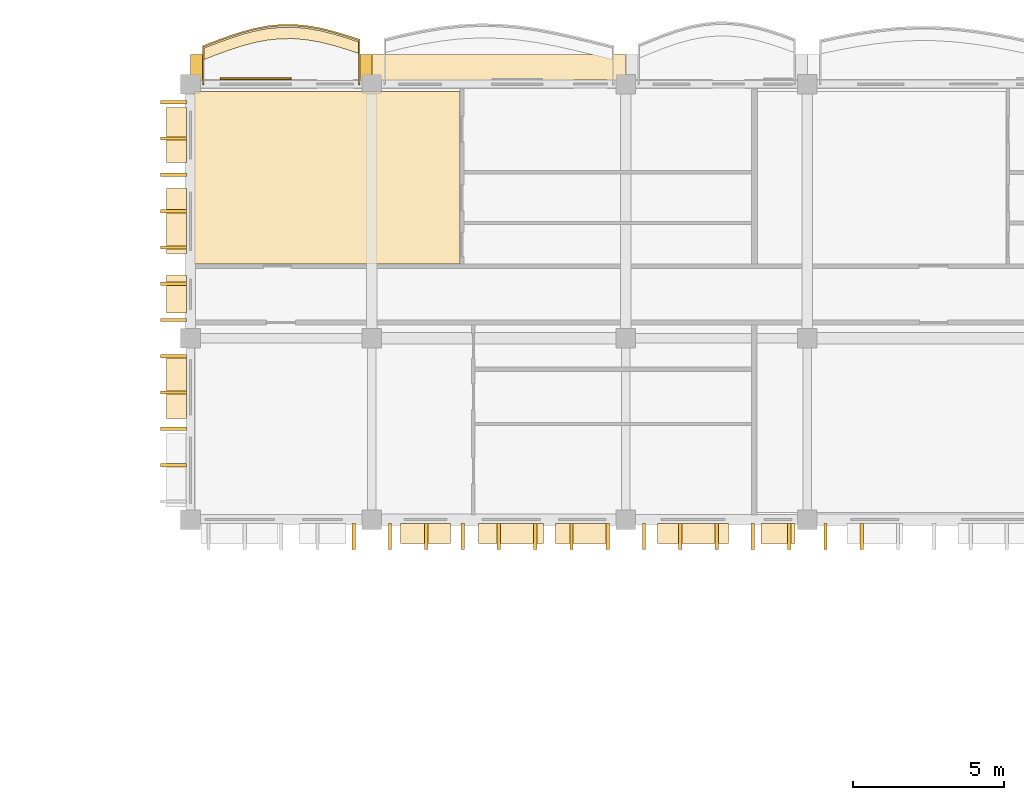
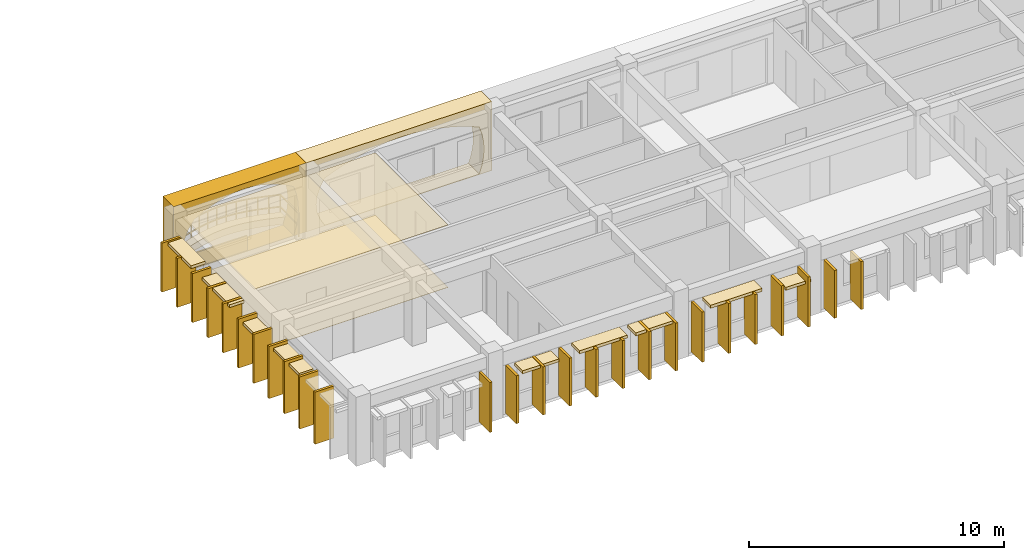
# One storey, part 52 of 66: 41 coverings, 1 railing.
"""IFC4 building model written with IfcOpenShell, lengths in metres."""

import ifcopenshell
import ifcopenshell.guid

model = None  # the IFC model being written
_history = None  # IfcOwnerHistory: only IFC2X3 demands one
_inside = {}  # id of a spatial element -> (the spatial element, [elements in it])
_under = {}  # id of a project, library or spatial element -> (it, [spatial elements below it])
_declared = {}  # id of a project -> (the project, [libraries it declares])
_typed = {}  # id of a type object -> (the type object, [elements of that type])
_made_of = {}  # id of a material, layer set ... -> (it, [elements and type objects made of it])


def new_model(schema):
    """Start an empty IFC model of exactly this schema.

    Asked for "IFC4X3", IfcOpenShell would pick the latest addendum, in which some entities
    have other attributes; the version numbers below select the first issue.
    IFC2X3 requires an IfcOwnerHistory on every rooted entity: one is made here for all.
    """
    global model, _history
    if schema == "IFC4X3":
        model = ifcopenshell.file(schema_version=(4, 3, 0, 0))
    else:
        model = ifcopenshell.file(schema=schema)
    _inside.clear()
    _under.clear()
    _declared.clear()
    _typed.clear()
    _made_of.clear()
    _history = None
    if model.schema == "IFC2X3":
        org = make("IfcOrganization", Name="unknown")
        user = make(
            "IfcPersonAndOrganization",
            ThePerson=make("IfcPerson", FamilyName="unknown"),
            TheOrganization=org,
        )
        app = make(
            "IfcApplication",
            ApplicationDeveloper=org,
            Version="unknown",
            ApplicationFullName="unknown",
            ApplicationIdentifier="unknown",
        )
        _history = make(
            "IfcOwnerHistory",
            OwningUser=user,
            OwningApplication=app,
            ChangeAction="ADDED",
            CreationDate=0,
        )
    return model


def make(cls, **values):
    """One entity of the class cls with the attributes given. An attribute that is None is left unset."""
    return model.create_entity(
        cls, **{name: value for name, value in values.items() if value is not None}
    )


def rooted(cls, **values):
    """An entity with a GlobalId (a new one), such as an element, a storey or a relation."""
    return make(cls, GlobalId=ifcopenshell.guid.new(), OwnerHistory=_history, **values)


def si_unit(unit_type, name, prefix=None):
    """IfcSIUnit, for example si_unit("LENGTHUNIT", "METRE", prefix="MILLI")."""
    return make("IfcSIUnit", UnitType=unit_type, Prefix=prefix, Name=name)


def assignment(units):
    """IfcUnitAssignment: the units of a project."""
    return None if units is None else make("IfcUnitAssignment", Units=units)


def point(xyz):
    """IfcCartesianPoint."""
    return None if xyz is None else make("IfcCartesianPoint", Coordinates=xyz)


def direction(xyz):
    """IfcDirection."""
    return None if xyz is None else make("IfcDirection", DirectionRatios=xyz)


def frame(location, z_axis=None, x_axis=None):
    """IfcAxis2Placement3D, a coordinate frame: its origin and axes. An axis left out is left unset."""
    return make(
        "IfcAxis2Placement3D",
        Location=point(location),
        Axis=direction(z_axis),
        RefDirection=direction(x_axis),
    )


def frame_2d(location, x_axis=None):
    """IfcAxis2Placement2D, a coordinate frame in the plane: its origin and x axis."""
    return make(
        "IfcAxis2Placement2D", Location=point(location), RefDirection=direction(x_axis)
    )


def origin():
    """The frame at (0, 0, 0) with its axes left unset."""
    return frame((0.0, 0.0, 0.0))


def origin_2d():
    """The frame at (0, 0) in the plane with its x axis left unset."""
    return frame_2d((0.0, 0.0))


def place(relative_to, where):
    """IfcLocalPlacement: puts the frame where relative to a parent placement (None: the world)."""
    return make(
        "IfcLocalPlacement", PlacementRelTo=relative_to, RelativePlacement=where
    )


def context(
    kind, dimensions, precision=None, world=None, true_north=None, identifier=None
):
    """IfcGeometricRepresentationContext, for example the 3D "Model" context."""
    return make(
        "IfcGeometricRepresentationContext",
        ContextIdentifier=identifier,
        ContextType=kind,
        CoordinateSpaceDimension=dimensions,
        Precision=precision,
        WorldCoordinateSystem=world,
        TrueNorth=true_north,
    )


def subcontext(parent, identifier, kind, view, scale=None):
    """IfcGeometricRepresentationSubContext, for example "Body" below "Model"."""
    return make(
        "IfcGeometricRepresentationSubContext",
        ContextIdentifier=identifier,
        ContextType=kind,
        ParentContext=parent,
        TargetScale=scale,
        TargetView=view,
    )


def project(units=None, contexts=None):
    """IfcProject with its units and contexts."""
    return rooted(
        "IfcProject",
        Name="project",
        RepresentationContexts=contexts,
        UnitsInContext=assignment(units),
    )


def spatial(cls, under=None, at=None, **own):
    """A site, building, storey or space (cls), placed at a placement, below another one or the project."""
    s = rooted(cls, ObjectPlacement=at, **own)
    if under is not None:
        _under.setdefault(under.id(), (under, []))[1].append(s)
    return s


def polyline(points):
    """IfcPolyline through the points."""
    return make("IfcPolyline", Points=[point(p) for p in points])


def profile(cls, at=None, kind="AREA", **sizes):
    """A parametric profile (cls). Its sizes go by their IFC names, for example OverallWidth=200.0."""
    return make(cls, ProfileType=kind, Position=at, **sizes)


def rectangle(**sizes):
    """IfcRectangleProfileDef."""
    return profile("IfcRectangleProfileDef", **sizes)


def outline(outer, holes=None, kind="AREA"):
    """IfcArbitraryClosedProfileDef: a profile drawn as a closed curve; with holes, ...WithVoids."""
    if holes is None:
        return make("IfcArbitraryClosedProfileDef", ProfileType=kind, OuterCurve=outer)
    return make(
        "IfcArbitraryProfileDefWithVoids",
        ProfileType=kind,
        OuterCurve=outer,
        InnerCurves=holes,
    )


def extrude(swept, where, along, depth):
    """IfcExtrudedAreaSolid: the profile swept, set in the frame where, extruded along a direction by depth."""
    return make(
        "IfcExtrudedAreaSolid",
        SweptArea=swept,
        Position=where,
        ExtrudedDirection=direction(along),
        Depth=depth,
    )


def shape(context_of_items, identifier, shape_type, items):
    """IfcShapeRepresentation: the items that make up one representation, for example the "Body"."""
    return make(
        "IfcShapeRepresentation",
        ContextOfItems=context_of_items,
        RepresentationIdentifier=identifier,
        RepresentationType=shape_type,
        Items=items,
    )


def material(Name=None, Category=None):
    """IfcMaterial."""
    return make("IfcMaterial", Name=Name, Category=Category)


def layer(
    of_material, thickness, ventilated=None, Name=None, Category=None, Priority=None
):
    """IfcMaterialLayer: one layer of a wall or slab, of a material (None: an air gap)."""
    return make(
        "IfcMaterialLayer",
        Material=of_material,
        LayerThickness=thickness,
        IsVentilated=ventilated,
        Name=Name,
        Category=Category,
        Priority=Priority,
    )


def layer_set(layers, Name=None):
    """IfcMaterialLayerSet."""
    return make("IfcMaterialLayerSet", MaterialLayers=layers, LayerSetName=Name)


def made_of(thing, what):
    """Note that an element or type object is made of a material, layer set ...; save() writes the relation."""
    if what is not None:
        _made_of.setdefault(what.id(), (what, []))[1].append(thing)
    return thing


def type_object(cls, material=None, **own):
    """A type object (cls), such as IfcWallType, which elements share."""
    return made_of(rooted(cls, **own), material)


def element(
    cls,
    number,
    at=None,
    inside=None,
    cuts=None,
    type_object=None,
    material=None,
    context=None,
    identifier="Body",
    shape_type=None,
    held_by="IfcProductDefinitionShape",
    body=None,
    shapes=None,
    **own,
):
    """One element of the class cls, such as IfcWall. Its Tag is "e" and its number.

    at: its placement. inside: the storey or other place that contains it. cuts: it is an
    opening in that element (IfcRelVoidsElement). A single representation is given by context,
    identifier, shape_type and body (its items); several are given by shapes. held_by: the class
    of the entity that holds the representations. save() writes the other relations.
    """
    e = rooted(cls, Tag="e%d" % number, ObjectPlacement=at, **own)
    if body is not None:
        shapes = [shape(context, identifier, shape_type, body)]
    if shapes is not None:
        e.Representation = make(held_by, Representations=shapes)
    if inside is not None:
        _inside.setdefault(inside.id(), (inside, []))[1].append(e)
    if cuts is not None:
        rooted(
            "IfcRelVoidsElement", RelatingBuildingElement=cuts, RelatedOpeningElement=e
        )
    if type_object is not None:
        _typed.setdefault(type_object.id(), (type_object, []))[1].append(e)
    return made_of(e, material)


def aggregate(whole, parts):
    """IfcRelAggregates: a whole, such as a stair, and the parts it consists of."""
    return rooted("IfcRelAggregates", RelatingObject=whole, RelatedObjects=parts)


def save(model, path):
    """Write the relations noted so far, then the file.

    IfcRelAggregates (storeys below a building ...), IfcRelContainedInSpatialStructure (elements
    in a storey), IfcRelDefinesByType, IfcRelAssociatesMaterial and IfcRelDeclares: one each for
    every whole, place, type object, material and project.
    """
    for whole, parts in _under.values():
        aggregate(whole, parts)
    for where, things in _inside.values():
        rooted(
            "IfcRelContainedInSpatialStructure",
            RelatedElements=things,
            RelatingStructure=where,
        )
    for kind, things in _typed.values():
        rooted("IfcRelDefinesByType", RelatedObjects=things, RelatingType=kind)
    for what, things in _made_of.values():
        rooted("IfcRelAssociatesMaterial", RelatedObjects=things, RelatingMaterial=what)
    for by, libraries in _declared.values():
        rooted("IfcRelDeclares", RelatingContext=by, RelatedDefinitions=libraries)
    model.write(path)


model = new_model("IFC4")

# Units and contexts
model_context = context("Model", 3, precision=1e-05, world=origin(), true_north=direction((0.0, 1.0)))
body_context = subcontext(model_context, "Body", "Model", "MODEL_VIEW")
ifc_project = project(units=[si_unit("LENGTHUNIT", "METRE"), si_unit("AREAUNIT", "SQUARE_METRE"), si_unit("VOLUMEUNIT", "CUBIC_METRE"), si_unit("PLANEANGLEUNIT", "RADIAN"), si_unit("MASSUNIT", "GRAM", prefix="KILO"), si_unit("THERMODYNAMICTEMPERATUREUNIT", "KELVIN")], contexts=[model_context])

# Site, building, storey
site_placement = place(None, origin())
site = spatial("IfcSite", under=ifc_project, at=site_placement, CompositionType="ELEMENT")
building_placement = place(site_placement, origin())
building = spatial("IfcBuilding", under=site, at=building_placement, Name="Thalorik Housing Commons", CompositionType="ELEMENT")
storey_placement = place(building_placement, frame((0.0, 0.0, 21.300048828125)))
storey = spatial("IfcBuildingStorey", under=building, at=storey_placement, Name="L06", CompositionType="ELEMENT", Elevation=21.300048828125)

# Coverings
ifc_material_1 = material(Name="Precast concrete C40/50", Category="concrete")
ifc_layer_1 = layer(ifc_material_1, 0.85009765625, Name="Precast concrete C40/50", Category="concrete")
ifc_layer_set_1 = layer_set([ifc_layer_1], Name="Precast concrete C40/50")
covering_type_1 = type_object("IfcCoveringType", Name="ARC-CLD-CUSH-850", PredefinedType="CLADDING", material=ifc_layer_set_1)
covering_1_placement = place(storey_placement, frame((90.60009765625, 124.16259765625, 0.0), z_axis=(0.0, 0.0, 1.0), x_axis=(-1.0, 0.0, 0.0)))
element("IfcCovering", 1, at=covering_1_placement, inside=storey, type_object=covering_type_1, Name="L06 White Precast Curved Cushion Bay Frame 2384", PredefinedType="CLADDING", context=body_context, shape_type="SweptSolid", body=[
    extrude(outline(polyline([(-4.199951171875, 0.0), (4.199951171875, 0.0), (4.199951171875, 3.300048828125), (-4.199951171875, 3.300048828125), (-4.199951171875, 0.0)]), holes=[polyline([(3.36328125, 0.02490234375), (3.578125, 0.40087890625), (3.70703125, 0.776611328125), (3.75, 1.152587890625), (3.70703125, 1.5283203125), (3.578125, 1.904296875), (3.36328125, 2.280029296875), (2.780517578125, 2.51123046875), (2.19775390625, 2.693115234375), (1.614990234375, 2.840087890625), (1.0322265625, 2.94970703125), (0.449462890625, 3.01708984375), (-0.13330078125, 3.0400390625), (-0.716064453125, 3.01708984375), (-1.298828125, 2.94970703125), (-1.881591796875, 2.840087890625), (-2.46435546875, 2.693115234375), (-3.047119140625, 2.51123046875), (-3.6298828125, 2.280029296875), (-3.750244140625, 1.904296875), (-3.822509765625, 1.5283203125), (-3.8466796875, 1.152587890625), (-3.822509765625, 0.776611328125), (-3.750244140625, 0.40087890625), (-3.6298828125, 0.02490234375), (3.36328125, 0.02490234375)])]), frame((0.0, 0.425048828125, 0.0), z_axis=(0.0, -1.0, 0.0), x_axis=(1.0, 0.0, 0.0)), (0.0, 0.0, 1.0), 0.85009765625),
])
covering_2_placement = place(storey_placement, frame((83.39990234375, 124.16259765625, 0.0), z_axis=(0.0, 0.0, 1.0), x_axis=(-1.0, 0.0, 0.0)))
element("IfcCovering", 2, at=covering_2_placement, inside=storey, type_object=covering_type_1, Name="L06 White Precast Curved Cushion Bay Frame 2386", PredefinedType="CLADDING", context=body_context, shape_type="SweptSolid", body=[
    extrude(outline(polyline([(-3.0, 0.0), (3.0, 0.0), (3.0, 3.300048828125), (-3.0, 3.300048828125), (-3.0, 0.0)]), holes=[polyline([(2.06494140625, 0.02490234375), (2.33447265625, 0.415771484375), (2.49609375, 0.806640625), (2.550048828125, 1.197509765625), (2.49609375, 1.58837890625), (2.33447265625, 1.979248046875), (2.06494140625, 2.3701171875), (1.6904296875, 2.573974609375), (1.31591796875, 2.734130859375), (0.94140625, 2.864013671875), (0.566650390625, 2.960205078125), (0.192138671875, 3.02001953125), (-0.1826171875, 3.0400390625), (-0.55712890625, 3.02001953125), (-0.931640625, 2.960205078125), (-1.30615234375, 2.864013671875), (-1.680908203125, 2.734130859375), (-2.055419921875, 2.573974609375), (-2.429931640625, 2.3701171875), (-2.55029296875, 1.979248046875), (-2.62255859375, 1.58837890625), (-2.646484375, 1.197509765625), (-2.62255859375, 0.806640625), (-2.55029296875, 0.415771484375), (-2.429931640625, 0.02490234375), (2.06494140625, 0.02490234375)])]), frame((0.0, 0.425048828125, 0.0), z_axis=(0.0, -1.0, 0.0), x_axis=(1.0, 0.0, 0.0)), (0.0, 0.0, 1.0), 0.85009765625),
])
ifc_layer_2 = layer(ifc_material_1, 0.85009765625, Name="Precast concrete C40/50", Category="concrete")
ifc_layer_set_2 = layer_set([ifc_layer_2], Name="Precast concrete C40/50")
covering_type_2 = type_object("IfcCoveringType", Name="ARC-CLD-FIN-850", PredefinedType="CLADDING", material=ifc_layer_set_2)
for number, where, z_axis, x_axis, name in (
    (3, (79.83740234375, 123.0, 0.0400390625), (0.0, 0.0, 1.0), (0.0, -1.0, 0.0), "L06 Courtyard Precast Vertical Brise-Soleil Fin 2388"),
    (4, (79.83740234375, 121.800048828125, 0.0400390625), (0.0, 0.0, 1.0), (0.0, -1.0, 0.0), "L06 Courtyard Precast Vertical Brise-Soleil Fin 2389"),
    (5, (79.83740234375, 120.60009765625, 0.0400390625), (0.0, 0.0, 1.0), (0.0, -1.0, 0.0), "L06 Courtyard Precast Vertical Brise-Soleil Fin 2390"),
    (6, (79.83740234375, 119.39990234375, 0.0400390625), (0.0, 0.0, 1.0), (0.0, -1.0, 0.0), "L06 Courtyard Precast Vertical Brise-Soleil Fin 2391"),
    (7, (79.83740234375, 118.199951171875, 0.0400390625), (0.0, 0.0, 1.0), (0.0, -1.0, 0.0), "L06 Courtyard Precast Vertical Brise-Soleil Fin 2392"),
    (8, (79.83740234375, 117.0, 0.0400390625), (0.0, 0.0, 1.0), (0.0, -1.0, 0.0), "L06 Courtyard Precast Vertical Brise-Soleil Fin 2393"),
    (9, (79.83740234375, 115.800048828125, 0.0400390625), (0.0, 0.0, 1.0), (0.0, -1.0, 0.0), "L06 Courtyard Precast Vertical Brise-Soleil Fin 2394"),
):
    element("IfcCovering", number, at=place(storey_placement, frame(where, z_axis=z_axis, x_axis=x_axis)), inside=storey, type_object=covering_type_2, Name=name, PredefinedType="CLADDING", context=body_context, shape_type="SweptSolid", body=[
        extrude(rectangle(XDim=0.110107421875, YDim=0.85009765625, at=origin_2d()), origin(), (0.0, 0.0, 1.0), 2.344970703125),
    ])
for number, where, z_axis, x_axis, name in (
    (10, (79.83740234375, 114.60009765625, 0.039794921875), (0.0, 0.0, 1.0), (0.0, -1.0, 0.0), "L06 Courtyard Precast Vertical Brise-Soleil Fin 2398"),
    (11, (79.83740234375, 113.39990234375, 0.039794921875), (0.0, 0.0, 1.0), (0.0, -1.0, 0.0), "L06 Courtyard Precast Vertical Brise-Soleil Fin 2399"),
    (12, (79.83740234375, 112.199951171875, 0.039794921875), (0.0, 0.0, 1.0), (0.0, -1.0, 0.0), "L06 Courtyard Precast Vertical Brise-Soleil Fin 2400"),
    (13, (79.83740234375, 111.0, 0.039794921875), (0.0, 0.0, 1.0), (0.0, -1.0, 0.0), "L06 Courtyard Precast Vertical Brise-Soleil Fin 2401"),
):
    element("IfcCovering", number, at=place(storey_placement, frame(where, z_axis=z_axis, x_axis=x_axis)), inside=storey, type_object=covering_type_2, Name=name, PredefinedType="CLADDING", context=body_context, shape_type="SweptSolid", body=[
        extrude(rectangle(XDim=0.110107421875, YDim=0.85009765625, at=origin_2d()), origin(), (0.0, 0.0, 1.0), 2.4951171875),
    ])
covering_3_placement = place(storey_placement, frame((85.800048828125, 108.637451171875, 0.0400390625), z_axis=(0.0, 0.0, 1.0), x_axis=(1.0, 0.0, 0.0)))
element("IfcCovering", 14, at=covering_3_placement, inside=storey, type_object=covering_type_2, Name="L06 Courtyard Precast Vertical Brise-Soleil Fin 2409", PredefinedType="CLADDING", context=body_context, shape_type="SweptSolid", body=[
    extrude(rectangle(XDim=0.110107421875, YDim=0.85009765625, at=origin_2d()), origin(), (0.0, 0.0, 1.0), 2.39501953125),
])
for number, where, z_axis, x_axis, name in (
    (15, (87.0, 108.637451171875, 0.0400390625), (0.0, 0.0, 1.0), (1.0, 0.0, 0.0), "L06 Courtyard Precast Vertical Brise-Soleil Fin 2412"),
    (16, (88.199951171875, 108.637451171875, 0.0400390625), (0.0, 0.0, 1.0), (1.0, 0.0, 0.0), "L06 Courtyard Precast Vertical Brise-Soleil Fin 2413"),
    (17, (89.39990234375, 108.637451171875, 0.0400390625), (0.0, 0.0, 1.0), (1.0, 0.0, 0.0), "L06 Courtyard Precast Vertical Brise-Soleil Fin 2414"),
    (18, (90.60009765625, 108.637451171875, 0.0400390625), (0.0, 0.0, 1.0), (1.0, 0.0, 0.0), "L06 Courtyard Precast Vertical Brise-Soleil Fin 2415"),
    (19, (91.800048828125, 108.637451171875, 0.0400390625), (0.0, 0.0, 1.0), (1.0, 0.0, 0.0), "L06 Courtyard Precast Vertical Brise-Soleil Fin 2416"),
    (20, (93.0, 108.637451171875, 0.0400390625), (0.0, 0.0, 1.0), (1.0, 0.0, 0.0), "L06 Courtyard Precast Vertical Brise-Soleil Fin 2417"),
    (21, (94.199951171875, 108.637451171875, 0.0400390625), (0.0, 0.0, 1.0), (1.0, 0.0, 0.0), "L06 Courtyard Precast Vertical Brise-Soleil Fin 2418"),
):
    element("IfcCovering", number, at=place(storey_placement, frame(where, z_axis=z_axis, x_axis=x_axis)), inside=storey, type_object=covering_type_2, Name=name, PredefinedType="CLADDING", context=body_context, shape_type="SweptSolid", body=[
        extrude(rectangle(XDim=0.110107421875, YDim=0.85009765625, at=origin_2d()), origin(), (0.0, 0.0, 1.0), 2.294921875),
    ])
for number, where, z_axis, x_axis, name in (
    (22, (95.39990234375, 108.637451171875, 0.0400390625), (0.0, 0.0, 1.0), (1.0, 0.0, 0.0), "L06 Courtyard Precast Vertical Brise-Soleil Fin 2422"),
    (23, (96.60009765625, 108.637451171875, 0.0400390625), (0.0, 0.0, 1.0), (1.0, 0.0, 0.0), "L06 Courtyard Precast Vertical Brise-Soleil Fin 2423"),
    (24, (97.800048828125, 108.637451171875, 0.0400390625), (0.0, 0.0, 1.0), (1.0, 0.0, 0.0), "L06 Courtyard Precast Vertical Brise-Soleil Fin 2424"),
    (25, (99.0, 108.637451171875, 0.0400390625), (0.0, 0.0, 1.0), (1.0, 0.0, 0.0), "L06 Courtyard Precast Vertical Brise-Soleil Fin 2425"),
    (26, (100.199951171875, 108.637451171875, 0.0400390625), (0.0, 0.0, 1.0), (1.0, 0.0, 0.0), "L06 Courtyard Precast Vertical Brise-Soleil Fin 2426"),
):
    element("IfcCovering", number, at=place(storey_placement, frame(where, z_axis=z_axis, x_axis=x_axis)), inside=storey, type_object=covering_type_2, Name=name, PredefinedType="CLADDING", context=body_context, shape_type="SweptSolid", body=[
        extrude(rectangle(XDim=0.110107421875, YDim=0.85009765625, at=origin_2d()), origin(), (0.0, 0.0, 1.0), 2.39501953125),
    ])
for number, where, z_axis, x_axis, name in (
    (27, (101.39990234375, 108.637451171875, 0.0400390625), (0.0, 0.0, 1.0), (1.0, 0.0, 0.0), "L06 Courtyard Precast Vertical Brise-Soleil Fin 2429"),
    (28, (102.60009765625, 108.637451171875, 0.0400390625), (0.0, 0.0, 1.0), (1.0, 0.0, 0.0), "L06 Courtyard Precast Vertical Brise-Soleil Fin 2430"),
):
    element("IfcCovering", number, at=place(storey_placement, frame(where, z_axis=z_axis, x_axis=x_axis)), inside=storey, type_object=covering_type_2, Name=name, PredefinedType="CLADDING", context=body_context, shape_type="SweptSolid", body=[
        extrude(rectangle(XDim=0.110107421875, YDim=0.85009765625, at=origin_2d()), origin(), (0.0, 0.0, 1.0), 2.294921875),
    ])
ifc_layer_3 = layer(ifc_material_1, 0.64990234375, Name="Precast concrete C40/50", Category="concrete")
ifc_layer_set_3 = layer_set([ifc_layer_3], Name="Precast concrete C40/50")
covering_type_3 = type_object("IfcCoveringType", Name="ARC-CLD-HOOD-650", PredefinedType="CLADDING", material=ifc_layer_set_3)
covering_4_placement = place(storey_placement, frame((79.9375, 121.91748046875, 2.27001953125), z_axis=(0.0, 0.0, 1.0), x_axis=(0.0, -1.0, 0.0)))
element("IfcCovering", 29, at=covering_4_placement, inside=storey, type_object=covering_type_3, Name="L06 Courtyard Precast Window Sun-Hood 2395", PredefinedType="CLADDING", context=body_context, shape_type="SweptSolid", body=[
    extrude(rectangle(XDim=1.820068359375, YDim=0.64990234375, at=origin_2d()), origin(), (0.0, 0.0, 1.0), 0.139892578125),
])
covering_5_placement = place(storey_placement, frame((79.9375, 119.072509765625, 2.22998046875), z_axis=(0.0, 0.0, 1.0), x_axis=(0.0, -1.0, 0.0)))
element("IfcCovering", 30, at=covering_5_placement, inside=storey, type_object=covering_type_3, Name="L06 Courtyard Precast Window Sun-Hood 2396", PredefinedType="CLADDING", context=body_context, shape_type="SweptSolid", body=[
    extrude(rectangle(XDim=2.159912109375, YDim=0.64990234375, at=origin_2d()), origin(), (0.0, 0.0, 1.0), 0.139892578125),
])
covering_6_placement = place(storey_placement, frame((79.9375, 116.64990234375, 2.0400390625), z_axis=(0.0, 0.0, 1.0), x_axis=(0.0, -1.0, 0.0)))
element("IfcCovering", 31, at=covering_6_placement, inside=storey, type_object=covering_type_3, Name="L06 Courtyard Precast Window Sun-Hood 2397", PredefinedType="CLADDING", context=body_context, shape_type="SweptSolid", body=[
    extrude(rectangle(XDim=1.239990234375, YDim=0.64990234375, at=origin_2d()), origin(), (0.0, 0.0, 1.0), 0.139892578125),
])
covering_7_placement = place(storey_placement, frame((79.9375, 113.570068359375, 2.25), z_axis=(0.0, 0.0, 1.0), x_axis=(0.0, -1.0, 0.0)))
element("IfcCovering", 32, at=covering_7_placement, inside=storey, type_object=covering_type_3, Name="L06 Courtyard Precast Window Sun-Hood 2403", PredefinedType="CLADDING", context=body_context, shape_type="SweptSolid", body=[
    extrude(rectangle(XDim=2.06005859375, YDim=0.64990234375, at=origin_2d()), origin(), (0.0, 0.0, 1.0), 0.139892578125),
])
covering_8_placement = place(storey_placement, frame((88.172607421875, 108.737548828125, 2.169921875), z_axis=(0.0, 0.0, 1.0), x_axis=(1.0, 0.0, 0.0)))
element("IfcCovering", 33, at=covering_8_placement, inside=storey, type_object=covering_type_3, Name="L06 Courtyard Precast Window Sun-Hood 2419", PredefinedType="CLADDING", context=body_context, shape_type="SweptSolid", body=[
    extrude(rectangle(XDim=1.659912109375, YDim=0.64990234375, at=origin_2d()), origin(), (0.0, 0.0, 1.0), 0.139892578125),
])
covering_9_placement = place(storey_placement, frame((91.003662109375, 108.737548828125, 2.22509765625), z_axis=(0.0, 0.0, 1.0), x_axis=(1.0, 0.0, 0.0)))
element("IfcCovering", 34, at=covering_9_placement, inside=storey, type_object=covering_type_3, Name="L06 Courtyard Precast Window Sun-Hood 2420", PredefinedType="CLADDING", context=body_context, shape_type="SweptSolid", body=[
    extrude(rectangle(XDim=2.159912109375, YDim=0.64990234375, at=origin_2d()), origin(), (0.0, 0.0, 1.0), 0.139892578125),
])
covering_10_placement = place(storey_placement, frame((93.361083984375, 108.737548828125, 2.18994140625), z_axis=(0.0, 0.0, 1.0), x_axis=(1.0, 0.0, 0.0)))
element("IfcCovering", 35, at=covering_10_placement, inside=storey, type_object=covering_type_3, Name="L06 Courtyard Precast Window Sun-Hood 2421", PredefinedType="CLADDING", context=body_context, shape_type="SweptSolid", body=[
    extrude(rectangle(XDim=1.7900390625, YDim=0.64990234375, at=origin_2d()), origin(), (0.0, 0.0, 1.0), 0.139892578125),
])
covering_11_placement = place(storey_placement, frame((97.02001953125, 108.737548828125, 2.3251953125), z_axis=(0.0, 0.0, 1.0), x_axis=(1.0, 0.0, 0.0)))
element("IfcCovering", 36, at=covering_11_placement, inside=storey, type_object=covering_type_3, Name="L06 Courtyard Precast Window Sun-Hood 2427", PredefinedType="CLADDING", context=body_context, shape_type="SweptSolid", body=[
    extrude(rectangle(XDim=2.340087890625, YDim=0.64990234375, at=origin_2d()), origin(), (0.0, 0.0, 1.0), 0.139892578125),
])
covering_12_placement = place(storey_placement, frame((99.830078125, 108.737548828125, 1.990234375), z_axis=(0.0, 0.0, 1.0), x_axis=(1.0, 0.0, 0.0)))
element("IfcCovering", 37, at=covering_12_placement, inside=storey, type_object=covering_type_3, Name="L06 Courtyard Precast Window Sun-Hood 2428", PredefinedType="CLADDING", context=body_context, shape_type="SweptSolid", body=[
    extrude(rectangle(XDim=1.139892578125, YDim=0.64990234375, at=origin_2d()), origin(), (0.0, 0.0, 1.0), 0.139892578125),
])
ifc_material_2 = material(Name="Mineral ochre architectural terracotta panel", Category="masonry")
ifc_layer_4 = layer(ifc_material_2, 0.06494140625, Name="Mineral ochre architectural terracotta panel", Category="masonry")
ifc_layer_set_4 = layer_set([ifc_layer_4], Name="Mineral ochre architectural terracotta panel")
covering_type_4 = type_object("IfcCoveringType", Name="ARC-CLD-YEL-65", PredefinedType="CLADDING", material=ifc_layer_set_4)
covering_13_placement = place(storey_placement, frame((82.56005859375, 123.77490234375, 0.0498046875), z_axis=(0.0, 0.0, 1.0), x_axis=(-1.0, 0.0, 0.0)))
element("IfcCovering", 38, at=covering_13_placement, inside=storey, type_object=covering_type_4, Name="L06 De Stijl Recessed Window Spandrel 2387", PredefinedType="CLADDING", context=body_context, shape_type="SweptSolid", body=[
    extrude(rectangle(XDim=2.35009765625, YDim=0.06494140625, at=origin_2d()), origin(), (0.0, 0.0, 1.0), 0.699951171875),
])
ifc_material_3 = material(Name="Mineral fibre acoustic ceiling tile")
ifc_layer_5 = layer(ifc_material_3, 0.01806640625, Name="Mineral fibre acoustic ceiling tile")
ifc_layer_set_5 = layer_set([ifc_layer_5], Name="Mineral fibre acoustic ceiling tile")
covering_type_5 = type_object("IfcCoveringType", Name="ARC-COV-CEIL-02", PredefinedType="CEILING", material=ifc_layer_set_5)
covering_14_placement = place(storey_placement, frame((0.0, 0.0, 2.98193359375)))
element("IfcCovering", 39, at=covering_14_placement, inside=storey, type_object=covering_type_5, Name="L06 Family Lounge Suspended Ceiling", PredefinedType="CEILING", context=body_context, shape_type="SweptSolid", body=[
    extrude(outline(polyline([(89.313232421875, 117.659912109375), (89.313232421875, 123.360107421875), (80.5400390625, 123.360107421875), (80.5400390625, 117.659912109375), (89.313232421875, 117.659912109375)])), origin(), (0.0, 0.0, 1.0), 0.01806640625),
])
ifc_material_4 = material(Name="Slip-resistant quarry terracotta corridor tile", Category="masonry")
ifc_layer_6 = layer(ifc_material_4, 0.01611328125, Name="Slip-resistant quarry terracotta corridor tile", Category="masonry")
ifc_layer_set_6 = layer_set([ifc_layer_6], Name="Slip-resistant quarry terracotta corridor tile")
covering_type_6 = type_object("IfcCoveringType", Name="ARC-COV-FLR-02", PredefinedType="FLOORING", material=ifc_layer_set_6)
covering_15_placement = place(storey_placement, origin())
element("IfcCovering", 40, at=covering_15_placement, inside=storey, type_object=covering_type_6, Name="L06 Family Lounge Flooring", PredefinedType="FLOORING", context=body_context, shape_type="SweptSolid", body=[
    extrude(outline(polyline([(89.313232421875, 117.659912109375), (89.313232421875, 123.360107421875), (80.5400390625, 123.360107421875), (80.5400390625, 117.659912109375), (89.313232421875, 117.659912109375)])), origin(), (0.0, 0.0, 1.0), 0.015869140625),
])
ifc_material_5 = material(Name="Planted vegetated substrate and terracotta trough", Category="masonry")
ifc_layer_7 = layer(ifc_material_5, 0.340087890625, Name="Planted vegetated substrate and terracotta trough", Category="masonry")
ifc_layer_set_7 = layer_set([ifc_layer_7], Name="Planted vegetated substrate and terracotta trough")
covering_type_7 = type_object("IfcCoveringType", Name="ARC-COV-PLANTER", PredefinedType="USERDEFINED", material=ifc_layer_set_7)
covering_16_placement = place(storey_placement, origin())
element("IfcCovering", 41, at=covering_16_placement, inside=storey, type_object=covering_type_7, Name="L06 Balcony Slab-Edge Planted Trough 5485", ObjectType="PLANTER", PredefinedType="USERDEFINED", context=body_context, shape_type="SweptSolid", body=[
    extrude(outline(polyline([(85.97998046875, 124.989501953125), (85.550048828125, 125.1318359375), (85.1201171875, 125.260986328125), (84.68994140625, 125.366943359375), (84.260009765625, 125.4423828125), (83.830078125, 125.481201171875), (83.39990234375, 125.480224609375), (82.969970703125, 125.4384765625), (82.5400390625, 125.358154296875), (82.110107421875, 125.244384765625), (81.679931640625, 125.10400390625), (81.25, 124.946533203125), (80.820068359375, 124.781982421875), (80.820068359375, 124.402099609375), (81.25, 124.56640625), (81.679931640625, 124.72412109375), (82.110107421875, 124.864501953125), (82.5400390625, 124.978271484375), (82.969970703125, 125.058349609375), (83.39990234375, 125.10009765625), (83.830078125, 125.101318359375), (84.260009765625, 125.0625), (84.68994140625, 124.987060546875), (85.1201171875, 124.880859375), (85.550048828125, 124.751953125), (85.97998046875, 124.609619140625), (85.97998046875, 124.989501953125)])), origin(), (0.0, 0.0, 1.0), 0.33984375),
])

# Railing
ifc_material_6 = material(Name="Steel S355", Category="steel")
railing_type = type_object("IfcRailingType", Name="ARC-RL-BAL-115", PredefinedType="BALUSTRADE", material=ifc_material_6)
railing_placement = place(storey_placement, frame((85.97998046875, 123.60009765625, 0.0)))
element("IfcRailing", 42, at=railing_placement, inside=storey, type_object=railing_type, Name="L06 Cushion Balcony Guardrail 169", PredefinedType="BALUSTRADE", context=body_context, shape_type="SweptSolid", body=[
    extrude(rectangle(XDim=0.050048828125, YDim=0.050048828125, at=origin_2d()), frame((0.0, 0.0, 1.125), z_axis=(0.0, 1.0, 0.0), x_axis=(-1.0, 0.0, 0.0)), (0.0, 0.0, 1.0), 1.45947265625),
    extrude(rectangle(XDim=0.050048828125, YDim=0.050048828125, at=origin_2d()), frame((0.0, 0.0, 0.5498046875), z_axis=(0.0, 1.0, 0.0), x_axis=(-1.0, 0.0, 0.0)), (0.0, 0.0, 1.0), 1.45947265625),
    extrude(rectangle(XDim=0.050048828125, YDim=0.050048828125, at=origin_2d()), frame((0.0, 1.45947265625, 1.125), z_axis=(-0.949328214695, 0.3142863993, 0.0), x_axis=(-0.3142863993, -0.949328214695, 0.0)), (0.0, 0.0, 1.0), 0.452880859375),
    extrude(rectangle(XDim=0.050048828125, YDim=0.050048828125, at=origin_2d()), frame((0.0, 1.45947265625, 0.5498046875), z_axis=(-0.949328214695, 0.3142863993, 0.0), x_axis=(-0.3142863993, -0.949328214695, 0.0)), (0.0, 0.0, 1.0), 0.452880859375),
    extrude(rectangle(XDim=0.050048828125, YDim=0.050048828125, at=origin_2d()), frame((-0.429931640625, 1.601806640625, 1.125), z_axis=(-0.957871185663, 0.287198174918, 0.0), x_axis=(-0.287198174918, -0.957871185663, 0.0)), (0.0, 0.0, 1.0), 0.44873046875),
    extrude(rectangle(XDim=0.050048828125, YDim=0.050048828125, at=origin_2d()), frame((-0.429931640625, 1.601806640625, 0.5498046875), z_axis=(-0.957871185663, 0.287198174918, 0.0), x_axis=(-0.287198174918, -0.957871185663, 0.0)), (0.0, 0.0, 1.0), 0.44873046875),
    extrude(rectangle(XDim=0.050048828125, YDim=0.050048828125, at=origin_2d()), frame((-0.85986328125, 1.730712890625, 1.125), z_axis=(-0.970851358426, 0.239682372824, 0.0), x_axis=(-0.239682372824, -0.970851358426, 0.0)), (0.0, 0.0, 1.0), 0.443115234375),
    extrude(rectangle(XDim=0.050048828125, YDim=0.050048828125, at=origin_2d()), frame((-0.85986328125, 1.730712890625, 0.5498046875), z_axis=(-0.970851358426, 0.239682372824, 0.0), x_axis=(-0.239682372824, -0.970851358426, 0.0)), (0.0, 0.0, 1.0), 0.443115234375),
    extrude(rectangle(XDim=0.050048828125, YDim=0.050048828125, at=origin_2d()), frame((-1.2900390625, 1.8369140625, 1.125), z_axis=(-0.984952013954, 0.17282803652, 0.0), x_axis=(-0.17282803652, -0.984952013954, 0.0)), (0.0, 0.0, 1.0), 0.4365234375),
    extrude(rectangle(XDim=0.050048828125, YDim=0.050048828125, at=origin_2d()), frame((-1.2900390625, 1.8369140625, 0.5498046875), z_axis=(-0.984952013954, 0.17282803652, 0.0), x_axis=(-0.17282803652, -0.984952013954, 0.0)), (0.0, 0.0, 1.0), 0.4365234375),
    extrude(rectangle(XDim=0.050048828125, YDim=0.050048828125, at=origin_2d()), frame((-1.719970703125, 1.912353515625, 1.125), z_axis=(-0.995948647187, 0.089923813119, 0.0), x_axis=(-0.089923813119, -0.995948647187, 0.0)), (0.0, 0.0, 1.0), 0.431640625),
    extrude(rectangle(XDim=0.050048828125, YDim=0.050048828125, at=origin_2d()), frame((-1.719970703125, 1.912353515625, 0.5498046875), z_axis=(-0.995948647187, 0.089923813119, 0.0), x_axis=(-0.089923813119, -0.995948647187, 0.0)), (0.0, 0.0, 1.0), 0.431640625),
    extrude(rectangle(XDim=0.050048828125, YDim=0.050048828125, at=origin_2d()), frame((-2.14990234375, 1.951171875, 1.125), z_axis=(-0.999997423225, -0.00227014171, 0.0), x_axis=(0.00227014171, -0.999997423225, 0.0)), (0.0, 0.0, 1.0), 0.43017578125),
    extrude(rectangle(XDim=0.050048828125, YDim=0.050048828125, at=origin_2d()), frame((-2.14990234375, 1.951171875, 0.5498046875), z_axis=(-0.999997423225, -0.00227014171, 0.0), x_axis=(0.00227014171, -0.999997423225, 0.0)), (0.0, 0.0, 1.0), 0.43017578125),
    extrude(rectangle(XDim=0.050048828125, YDim=0.050048828125, at=origin_2d()), frame((-2.580078125, 1.9501953125, 1.125), z_axis=(-0.995263970634, -0.097209200993, 0.0), x_axis=(0.097209200993, -0.995263970634, 0.0)), (0.0, 0.0, 1.0), 0.431884765625),
    extrude(rectangle(XDim=0.050048828125, YDim=0.050048828125, at=origin_2d()), frame((-2.580078125, 1.9501953125, 0.5498046875), z_axis=(-0.995263970634, -0.097209200993, 0.0), x_axis=(0.097209200993, -0.995263970634, 0.0)), (0.0, 0.0, 1.0), 0.431884765625),
    extrude(rectangle(XDim=0.050048828125, YDim=0.050048828125, at=origin_2d()), frame((-3.010009765625, 1.908203125, 1.125), z_axis=(-0.983092675585, -0.183108686878, 0.0), x_axis=(0.183108686878, -0.983092675585, 0.0)), (0.0, 0.0, 1.0), 0.437255859375),
    extrude(rectangle(XDim=0.050048828125, YDim=0.050048828125, at=origin_2d()), frame((-3.010009765625, 1.908203125, 0.5498046875), z_axis=(-0.983092675585, -0.183108686878, 0.0), x_axis=(0.183108686878, -0.983092675585, 0.0)), (0.0, 0.0, 1.0), 0.437255859375),
    extrude(rectangle(XDim=0.050048828125, YDim=0.050048828125, at=origin_2d()), frame((-3.43994140625, 1.828125, 1.125), z_axis=(-0.966725195305, -0.25581711585, 0.0), x_axis=(0.25581711585, -0.966725195305, 0.0)), (0.0, 0.0, 1.0), 0.44482421875),
    extrude(rectangle(XDim=0.050048828125, YDim=0.050048828125, at=origin_2d()), frame((-3.43994140625, 1.828125, 0.5498046875), z_axis=(-0.966725195305, -0.25581711585, 0.0), x_axis=(0.25581711585, -0.966725195305, 0.0)), (0.0, 0.0, 1.0), 0.44482421875),
    extrude(rectangle(XDim=0.050048828125, YDim=0.050048828125, at=origin_2d()), frame((-3.869873046875, 1.71435546875, 1.125), z_axis=(-0.950660674231, -0.310232626381, 0.0), x_axis=(0.310232626381, -0.950660674231, 0.0)), (0.0, 0.0, 1.0), 0.452392578125),
    extrude(rectangle(XDim=0.050048828125, YDim=0.050048828125, at=origin_2d()), frame((-3.869873046875, 1.71435546875, 0.5498046875), z_axis=(-0.950660674231, -0.310232626381, 0.0), x_axis=(0.310232626381, -0.950660674231, 0.0)), (0.0, 0.0, 1.0), 0.452392578125),
    extrude(rectangle(XDim=0.050048828125, YDim=0.050048828125, at=origin_2d()), frame((-4.300048828125, 1.573974609375, 1.125), z_axis=(-0.938996898156, -0.343925610057, 0.0), x_axis=(0.343925610057, -0.938996898156, 0.0)), (0.0, 0.0, 1.0), 0.457763671875),
    extrude(rectangle(XDim=0.050048828125, YDim=0.050048828125, at=origin_2d()), frame((-4.300048828125, 1.573974609375, 0.5498046875), z_axis=(-0.938996898156, -0.343925610057, 0.0), x_axis=(0.343925610057, -0.938996898156, 0.0)), (0.0, 0.0, 1.0), 0.457763671875),
    extrude(rectangle(XDim=0.050048828125, YDim=0.050048828125, at=origin_2d()), frame((-4.72998046875, 1.41650390625, 1.125), z_axis=(-0.933932105252, -0.357450448007, 0.0), x_axis=(0.357450448007, -0.933932105252, 0.0)), (0.0, 0.0, 1.0), 0.46044921875),
    extrude(rectangle(XDim=0.050048828125, YDim=0.050048828125, at=origin_2d()), frame((-4.72998046875, 1.41650390625, 0.5498046875), z_axis=(-0.933932105252, -0.357450448007, 0.0), x_axis=(0.357450448007, -0.933932105252, 0.0)), (0.0, 0.0, 1.0), 0.46044921875),
    extrude(rectangle(XDim=0.050048828125, YDim=0.050048828125, at=origin_2d()), frame((-5.159912109375, 1.251953125, 1.125), z_axis=(0.0, -1.0, 0.0), x_axis=(1.0, 0.0, 0.0)), (0.0, 0.0, 1.0), 1.251953125),
    extrude(rectangle(XDim=0.050048828125, YDim=0.050048828125, at=origin_2d()), frame((-5.159912109375, 1.251953125, 0.5498046875), z_axis=(0.0, -1.0, 0.0), x_axis=(1.0, 0.0, 0.0)), (0.0, 0.0, 1.0), 1.251953125),
    extrude(rectangle(XDim=0.0419921875, YDim=0.0419921875, at=origin_2d()), origin(), (0.0, 0.0, 1.0), 1.099853515625),
    extrude(rectangle(XDim=0.0419921875, YDim=0.0419921875, at=origin_2d()), frame((0.0, 1.45947265625, 0.0)), (0.0, 0.0, 1.0), 1.099853515625),
    extrude(rectangle(XDim=0.0419921875, YDim=0.0419921875, at=origin_2d()), frame((-0.429931640625, 1.601806640625, 0.0)), (0.0, 0.0, 1.0), 1.099853515625),
    extrude(rectangle(XDim=0.0419921875, YDim=0.0419921875, at=origin_2d()), frame((-0.85986328125, 1.730712890625, 0.0)), (0.0, 0.0, 1.0), 1.099853515625),
    extrude(rectangle(XDim=0.0419921875, YDim=0.0419921875, at=origin_2d()), frame((-1.2900390625, 1.8369140625, 0.0)), (0.0, 0.0, 1.0), 1.099853515625),
    extrude(rectangle(XDim=0.0419921875, YDim=0.0419921875, at=origin_2d()), frame((-1.719970703125, 1.912353515625, 0.0)), (0.0, 0.0, 1.0), 1.099853515625),
    extrude(rectangle(XDim=0.0419921875, YDim=0.0419921875, at=origin_2d()), frame((-2.14990234375, 1.951171875, 0.0)), (0.0, 0.0, 1.0), 1.099853515625),
    extrude(rectangle(XDim=0.0419921875, YDim=0.0419921875, at=origin_2d()), frame((-2.580078125, 1.9501953125, 0.0)), (0.0, 0.0, 1.0), 1.099853515625),
    extrude(rectangle(XDim=0.0419921875, YDim=0.0419921875, at=origin_2d()), frame((-3.010009765625, 1.908203125, 0.0)), (0.0, 0.0, 1.0), 1.099853515625),
    extrude(rectangle(XDim=0.0419921875, YDim=0.0419921875, at=origin_2d()), frame((-3.43994140625, 1.828125, 0.0)), (0.0, 0.0, 1.0), 1.099853515625),
    extrude(rectangle(XDim=0.0419921875, YDim=0.0419921875, at=origin_2d()), frame((-3.869873046875, 1.71435546875, 0.0)), (0.0, 0.0, 1.0), 1.099853515625),
    extrude(rectangle(XDim=0.0419921875, YDim=0.0419921875, at=origin_2d()), frame((-4.300048828125, 1.573974609375, 0.0)), (0.0, 0.0, 1.0), 1.099853515625),
    extrude(rectangle(XDim=0.0419921875, YDim=0.0419921875, at=origin_2d()), frame((-4.72998046875, 1.41650390625, 0.0)), (0.0, 0.0, 1.0), 1.099853515625),
    extrude(rectangle(XDim=0.0419921875, YDim=0.0419921875, at=origin_2d()), frame((-5.159912109375, 1.251953125, 0.0)), (0.0, 0.0, 1.0), 1.099853515625),
    extrude(rectangle(XDim=0.0419921875, YDim=0.0419921875, at=origin_2d()), frame((-5.159912109375, 0.0, 0.0)), (0.0, 0.0, 1.0), 1.099853515625),
])

save(model, "model.ifc")
